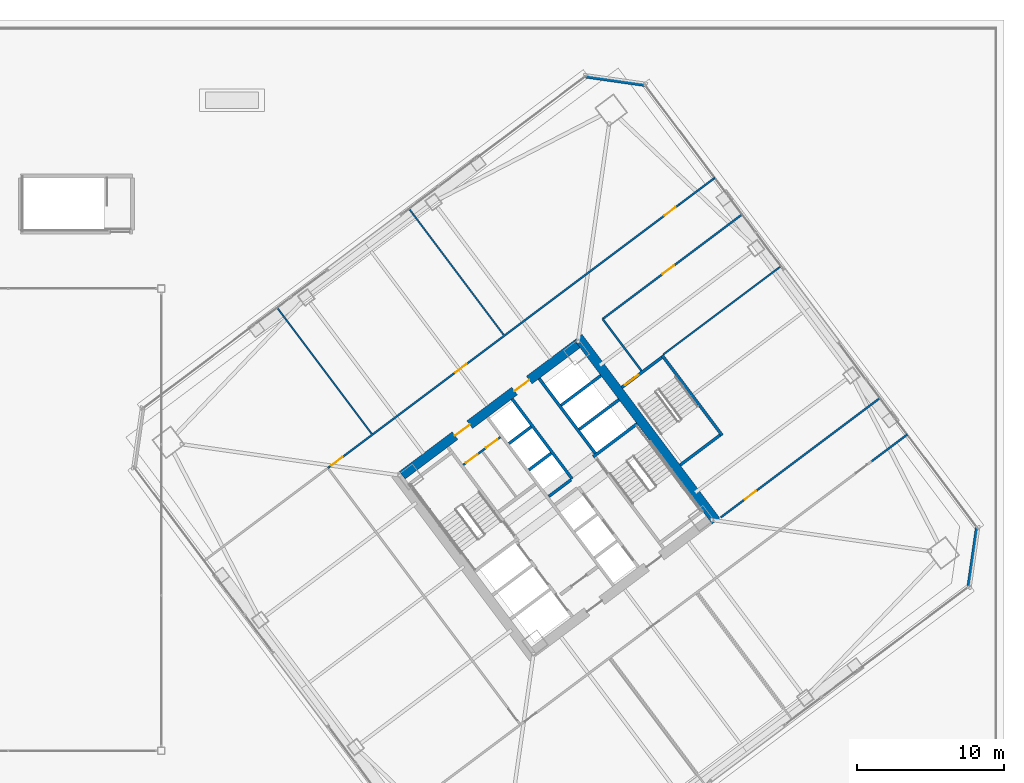
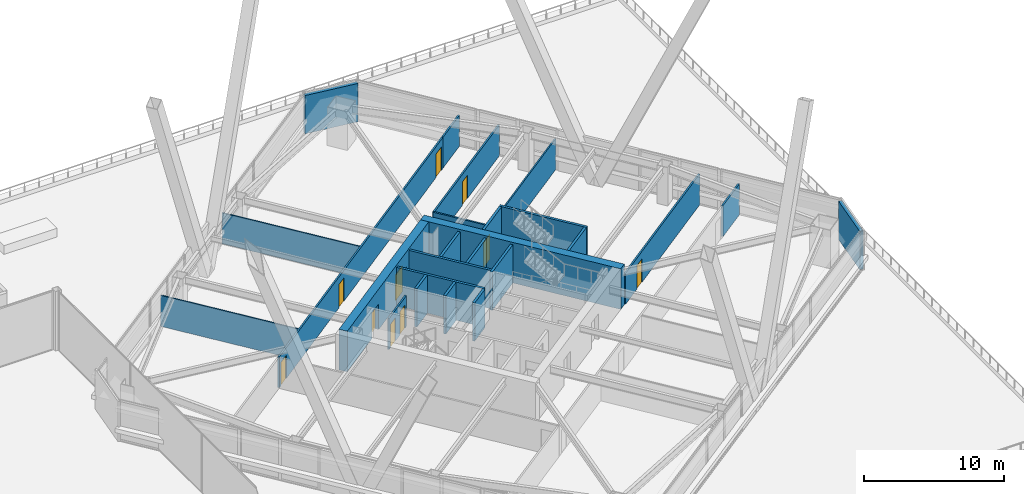
# One storey, part 71 of 83: 25 walls, 10 doors, 10 openings.
"""IFC4 building model written with IfcOpenShell, lengths in metres."""

from ifc_helpers import new_model, si_unit, direction, frame, frame_2d, origin, place, context, subcontext, project, spatial, rectangle, extrude, material, layer, layer_set, type_object, element, fill, save


model = new_model("IFC4")

# Units and contexts
model_context = context("Model", 3, precision=1e-05, world=origin(), true_north=direction((0.0, 1.0)))
body_context = subcontext(model_context, "Body", "Model", "MODEL_VIEW")
ifc_project = project(units=[si_unit("LENGTHUNIT", "METRE"), si_unit("AREAUNIT", "SQUARE_METRE"), si_unit("VOLUMEUNIT", "CUBIC_METRE"), si_unit("PLANEANGLEUNIT", "RADIAN"), si_unit("MASSUNIT", "GRAM", prefix="KILO")], contexts=[model_context])

# Site, building, storey
site_placement = place(None, origin())
site = spatial("IfcSite", under=ifc_project, at=site_placement, CompositionType="ELEMENT")
building_placement = place(site_placement, origin())
building = spatial("IfcBuilding", under=site, at=building_placement, Name="Tashvorn Skyway Center", CompositionType="ELEMENT")
storey_placement = place(building_placement, frame((0.0, 0.0, 24.60009765625)))
storey = spatial("IfcBuildingStorey", under=building, at=storey_placement, Name="L05", CompositionType="ELEMENT", Elevation=24.60009765625)

# Wall
ifc_material_1 = material(Name="Concrete C60/75", Category="concrete")
ifc_layer_1 = layer(ifc_material_1, 0.64990234375)
ifc_layer_set_1 = layer_set([ifc_layer_1], Name="Concrete C60/75")
wall_type_1 = type_object("IfcWallType", Name="WALL-CORE-650", PredefinedType="SHEAR", material=ifc_layer_set_1)
wall_1_placement = place(storey_placement, frame((115.52392578125, 42.89306640625, 0.0), z_axis=(0.0, 0.0, 1.0), x_axis=(0.600005007985, -0.799996243986, 0.0)))
element("IfcWall", 1, at=wall_1_placement, inside=storey, type_object=wall_type_1, Name="Tower 2 L05 East Core Shear Wall", PredefinedType="SHEAR", context=body_context, shape_type="SweptSolid", body=[
    extrude(rectangle(XDim=15.60009765625, YDim=0.64990234375, at=frame_2d((7.800048828125, 0.0))), origin(), (0.0, 0.0, 1.0), 3.5498046875),
])

# Wall, openings, doors
wall_2_placement = place(storey_placement, frame((103.571044921875, 33.52197265625, 0.0), z_axis=(0.0, 0.0, 1.0), x_axis=(0.799998028465, 0.600002628705, 0.0)))
wall_2 = element("IfcWall", 2, at=wall_2_placement, inside=storey, type_object=wall_type_1, Name="Tower 2 L05 North Core Shear Wall", PredefinedType="SHEAR", context=body_context, shape_type="SweptSolid", body=[
    extrude(rectangle(XDim=14.85986328125, YDim=0.64990234375, at=frame_2d((7.429931640625, 0.0))), origin(), (0.0, 0.0, 1.0), 3.5498046875),
])
opening_1_placement = place(wall_2_placement, frame((4.47998046875, 0.0, 0.0)))
opening_1 = element("IfcOpeningElement", 3, at=opening_1_placement, cuts=wall_2, Name="Opening D-FFL-1250", PredefinedType="OPENING", context=body_context, shape_type="SweptSolid", body=[
    extrude(rectangle(XDim=1.25, YDim=2.25, at=frame_2d((0.625, 1.125))), frame((0.0, 0.3349609375, 0.0), z_axis=(0.0, -1.0, 0.0), x_axis=(1.0, 0.0, 0.0)), (0.0, 0.0, 1.0), 0.669921875),
])
opening_2_placement = place(wall_2_placement, frame((9.530029296875, 0.0, 0.0)))
opening_2 = element("IfcOpeningElement", 4, at=opening_2_placement, cuts=wall_2, Name="Opening D-FFL-1250", PredefinedType="OPENING", context=body_context, shape_type="SweptSolid", body=[
    extrude(rectangle(XDim=1.25, YDim=2.25, at=frame_2d((0.625, 1.125))), frame((0.0, 0.3349609375, 0.0), z_axis=(0.0, -1.0, 0.0), x_axis=(1.0, 0.0, 0.0)), (0.0, 0.0, 1.0), 0.669921875),
])
ifc_material_2 = material(Name="Hollow galvanized steel fire door assembly", Category="steel")
door_type_1 = type_object("IfcDoorType", Name="DOOR-FFL-1250", OperationType="NOTDEFINED", PredefinedType="DOOR", material=ifc_material_2)
door_1_placement = place(opening_1_placement, origin())
door_1 = element("IfcDoor", 5, at=door_1_placement, inside=storey, type_object=door_type_1, Name="Tower 2 L05 Core North Service Lobby Door", OperationType="SINGLE_SWING_LEFT", OverallHeight=2.25, OverallWidth=1.25, PredefinedType="DOOR", context=body_context, shape_type="SweptSolid", body=[
    extrude(rectangle(XDim=1.25, YDim=2.25, at=frame_2d((0.625, 1.125))), frame((0.0, 0.02490234375, 0.0), z_axis=(0.0, -1.0, 0.0), x_axis=(1.0, 0.0, 0.0)), (0.0, 0.0, 1.0), 0.050048828125),
])
fill(opening_1, door_1)
door_2_placement = place(opening_2_placement, origin())
door_2 = element("IfcDoor", 6, at=door_2_placement, inside=storey, type_object=door_type_1, Name="Tower 2 L05 Core North Lift Lobby Door", OperationType="SINGLE_SWING_RIGHT", OverallHeight=2.25, OverallWidth=1.25, PredefinedType="DOOR", context=body_context, shape_type="SweptSolid", body=[
    extrude(rectangle(XDim=1.25, YDim=2.25, at=frame_2d((0.625, 1.125))), frame((0.0, 0.02490234375, 0.0), z_axis=(0.0, -1.0, 0.0), x_axis=(1.0, 0.0, 0.0)), (0.0, 0.0, 1.0), 0.050048828125),
])
fill(opening_2, door_2)

# Walls
ifc_material_3 = material(Name="Precast concrete C40/50", Category="concrete")
ifc_layer_2 = layer(ifc_material_3, 0.280029296875)
ifc_layer_set_2 = layer_set([ifc_layer_2], Name="Precast concrete C40/50")
wall_type_2 = type_object("IfcWallType", Name="WALL-EXT-280", PredefinedType="SOLIDWALL", material=ifc_layer_set_2)
for number, where, z_axis, x_axis, name in (
    (7, (116.02001953125, 60.639892578125, 0.0), (0.0, 0.0, 1.0), (0.989955445613, -0.14137968631, 0.0), "Tower 2 L05 NE Precast Chamfer Wall"),
    (8, (142.639892578125, 29.97998046875, 0.0), (0.0, 0.0, 1.0), (-0.14137968631, -0.989955445613, 0.0), "Tower 2 L05 SE Precast Chamfer Wall"),
):
    element("IfcWall", number, at=place(storey_placement, frame(where, z_axis=z_axis, x_axis=x_axis)), inside=storey, type_object=wall_type_2, Name=name, PredefinedType="SOLIDWALL", context=body_context, shape_type="SweptSolid", body=[
        extrude(rectangle(XDim=4.101318359375, YDim=0.280029296875, at=frame_2d((2.05078125, 0.0))), origin(), (0.0, 0.0, 1.0), 3.349853515625),
    ])
ifc_material_4 = material(Name="Gypsum board on cold-formed steel stud framing", Category="steel")
ifc_layer_3 = layer(ifc_material_4, 0.110107421875)
ifc_layer_set_3 = layer_set([ifc_layer_3], Name="Gypsum board on cold-formed steel stud framing")
wall_type_3 = type_object("IfcWallType", Name="WALL-PART-110", PredefinedType="PARTITIONING", material=ifc_layer_set_3)
for number, where, z_axis, x_axis, name in (
    (9, (101.491943359375, 36.343994140625, 0.0), (0.0, 0.0, 1.0), (-0.599992698573, 0.800005476018, 0.0), "Tower 2 L05 North Suite Partition 1"),
    (10, (110.451904296875, 43.06396484375, 0.0), (0.0, 0.0, 1.0), (-0.599992698573, 0.800005476018, 0.0), "Tower 2 L05 North Suite Partition 2"),
):
    element("IfcWall", number, at=place(storey_placement, frame(where, z_axis=z_axis, x_axis=x_axis)), inside=storey, type_object=wall_type_3, Name=name, PredefinedType="PARTITIONING", context=body_context, shape_type="SweptSolid", body=[
        extrude(rectangle(XDim=10.699951171875, YDim=0.110107421875, at=frame_2d((5.35009765625, 0.0))), origin(), (0.0, 0.0, 1.0), 2.702880859375),
    ])
wall_3_placement = place(storey_placement, frame((129.303955078125, 47.72802734375, 0.0), z_axis=(0.0, 0.0, 1.0), x_axis=(-0.8, -0.6, 0.0)))
element("IfcWall", 11, at=wall_3_placement, inside=storey, type_object=wall_type_3, Name="Tower 2 L05 East Suite Partition 1", PredefinedType="PARTITIONING", context=body_context, shape_type="SweptSolid", body=[
    extrude(rectangle(XDim=10.0, YDim=0.110107421875, at=frame_2d((5.0, 0.0))), origin(), (0.0, 0.0, 1.0), 2.702880859375),
])
ifc_layer_4 = layer(ifc_material_4, 0.135009765625)
ifc_layer_set_4 = layer_set([ifc_layer_4], Name="Gypsum board on cold-formed steel stud framing")
wall_type_4 = type_object("IfcWallType", Name="WALL-PART-135", PredefinedType="PARTITIONING", material=ifc_layer_set_4)
wall_4_placement = place(storey_placement, frame((119.823974609375, 40.617919921875, 0.0), z_axis=(0.0, 0.0, 1.0), x_axis=(-0.599982243973, 0.800013316712, 0.0)))
element("IfcWall", 12, at=wall_4_placement, inside=storey, type_object=wall_type_4, Name="Tower 2 L05 Stair 3 Access Corridor Wall", PredefinedType="PARTITIONING", context=body_context, shape_type="SweptSolid", body=[
    extrude(rectangle(XDim=4.39990234375, YDim=0.135009765625, at=frame_2d((2.199951171875, 0.0))), origin(), (0.0, 0.0, 1.0), 2.702880859375),
])

# Wall, openings, doors
wall_5_placement = place(storey_placement, frame((98.51611328125, 34.011962890625, 0.0), z_axis=(0.0, 0.0, 1.0), x_axis=(0.799998035726, 0.600002619023, 0.0)))
wall_5 = element("IfcWall", 13, at=wall_5_placement, inside=storey, type_object=wall_type_4, Name="Tower 2 L05 North Suite Wall", PredefinedType="PARTITIONING", context=body_context, shape_type="SweptSolid", body=[
    extrude(rectangle(XDim=29.829833984375, YDim=0.135009765625, at=frame_2d((14.9150390625, 0.0))), origin(), (0.0, 0.0, 1.0), 2.702880859375),
])
opening_3_placement = place(wall_5_placement, frame((0.300048828125, 0.0, 0.0)))
opening_3 = element("IfcOpeningElement", 14, at=opening_3_placement, cuts=wall_5, Name="Opening D-INT-950", PredefinedType="OPENING", context=body_context, shape_type="SweptSolid", body=[
    extrude(rectangle(XDim=0.949951171875, YDim=2.050048828125, at=frame_2d((0.47509765625, 1.02490234375))), frame((0.0, 0.077392578125, 0.0), z_axis=(0.0, -1.0, 0.0), x_axis=(1.0, 0.0, 0.0)), (0.0, 0.0, 1.0), 0.155029296875),
])
opening_4_placement = place(wall_5_placement, frame((10.82861328125, 0.0, 0.0)))
opening_4 = element("IfcOpeningElement", 15, at=opening_4_placement, cuts=wall_5, Name="Opening D-INT-950", PredefinedType="OPENING", context=body_context, shape_type="SweptSolid", body=[
    extrude(rectangle(XDim=0.949951171875, YDim=2.050048828125, at=frame_2d((0.47509765625, 1.02490234375))), frame((0.0, 0.077392578125, 0.0), z_axis=(0.0, -1.0, 0.0), x_axis=(1.0, 0.0, 0.0)), (0.0, 0.0, 1.0), 0.155029296875),
])
opening_5_placement = place(wall_5_placement, frame((28.580078125, 0.0, 0.0)))
opening_5 = element("IfcOpeningElement", 16, at=opening_5_placement, cuts=wall_5, Name="Opening D-INT-950", PredefinedType="OPENING", context=body_context, shape_type="SweptSolid", body=[
    extrude(rectangle(XDim=0.949951171875, YDim=2.050048828125, at=frame_2d((0.47509765625, 1.02490234375))), frame((0.0, 0.077392578125, 0.0), z_axis=(0.0, -1.0, 0.0), x_axis=(1.0, 0.0, 0.0)), (0.0, 0.0, 1.0), 0.155029296875),
])
ifc_material_5 = material(Name="Solid-core architectural oak veneer door")
door_type_2 = type_object("IfcDoorType", Name="DOOR-INT-950", OperationType="NOTDEFINED", PredefinedType="DOOR", material=ifc_material_5)
door_3_placement = place(opening_3_placement, origin())
door_3 = element("IfcDoor", 17, at=door_3_placement, inside=storey, type_object=door_type_2, Name="Tower 2 L05 Open Plan Office Door", OperationType="SINGLE_SWING_LEFT", OverallHeight=2.050048828125, OverallWidth=0.949951171875, PredefinedType="DOOR", context=body_context, shape_type="SweptSolid", body=[
    extrude(rectangle(XDim=0.949951171875, YDim=2.050048828125, at=frame_2d((0.47509765625, 1.02490234375))), frame((0.0, 0.02490234375, 0.0), z_axis=(0.0, -1.0, 0.0), x_axis=(1.0, 0.0, 0.0)), (0.0, 0.0, 1.0), 0.050048828125),
])
fill(opening_3, door_3)
door_4_placement = place(opening_4_placement, origin())
door_4 = element("IfcDoor", 18, at=door_4_placement, inside=storey, type_object=door_type_2, Name="Tower 2 L05 Open Plan Office Door", OperationType="SINGLE_SWING_RIGHT", OverallHeight=2.050048828125, OverallWidth=0.949951171875, PredefinedType="DOOR", context=body_context, shape_type="SweptSolid", body=[
    extrude(rectangle(XDim=0.949951171875, YDim=2.050048828125, at=frame_2d((0.47509765625, 1.02490234375))), frame((0.0, 0.02490234375, 0.0), z_axis=(0.0, -1.0, 0.0), x_axis=(1.0, 0.0, 0.0)), (0.0, 0.0, 1.0), 0.050048828125),
])
fill(opening_4, door_4)
door_5_placement = place(opening_5_placement, origin())
door_5 = element("IfcDoor", 19, at=door_5_placement, inside=storey, type_object=door_type_2, Name="Tower 2 L05 Catering Pantry Door", OperationType="SINGLE_SWING_LEFT", OverallHeight=2.050048828125, OverallWidth=0.949951171875, PredefinedType="DOOR", context=body_context, shape_type="SweptSolid", body=[
    extrude(rectangle(XDim=0.949951171875, YDim=2.050048828125, at=frame_2d((0.47509765625, 1.02490234375))), frame((0.0, 0.02490234375, 0.0), z_axis=(0.0, -1.0, 0.0), x_axis=(1.0, 0.0, 0.0)), (0.0, 0.0, 1.0), 0.050048828125),
])
fill(opening_5, door_5)

# Walls
for number, where, z_axis, x_axis, name in (
    (20, (122.3798828125, 51.909912109375, 0.0), (0.0, 0.0, 1.0), (0.799990331366, 0.600012891296, 0.0), "Tower 2 L05 North-East Suite South Wall"),
    (21, (135.4599609375, 34.469970703125, 0.0), (0.0, 0.0, 1.0), (0.799990331366, 0.600012891296, 0.0), "Tower 2 L05 South-East Suite North Wall"),
):
    element("IfcWall", number, at=place(storey_placement, frame(where, z_axis=z_axis, x_axis=x_axis)), inside=storey, type_object=wall_type_4, Name=name, PredefinedType="PARTITIONING", context=body_context, shape_type="SweptSolid", body=[
        extrude(rectangle(XDim=3.030029296875, YDim=0.135009765625, at=frame_2d((1.51513671875, 0.0))), origin(), (0.0, 0.0, 1.0), 2.702880859375),
    ])

# Wall, opening, door
wall_6_placement = place(storey_placement, frame((126.6640625, 51.248046875, 0.0), z_axis=(0.0, 0.0, 1.0), x_axis=(-0.799995055373, -0.600006592779, 0.0)))
wall_6 = element("IfcWall", 22, at=wall_6_placement, inside=storey, type_object=wall_type_4, Name="Tower 2 L05 East Suite North Wall", PredefinedType="PARTITIONING", context=body_context, shape_type="SweptSolid", body=[
    extrude(rectangle(XDim=11.85009765625, YDim=0.135009765625, at=frame_2d((5.925048828125, 0.0))), origin(), (0.0, 0.0, 1.0), 2.702880859375),
])
opening_6_placement = place(wall_6_placement, frame((5.800048828125, 0.0, 0.0)))
opening_6 = element("IfcOpeningElement", 23, at=opening_6_placement, cuts=wall_6, Name="Opening D-INT-950", PredefinedType="OPENING", context=body_context, shape_type="SweptSolid", body=[
    extrude(rectangle(XDim=0.949951171875, YDim=2.050048828125, at=frame_2d((0.47509765625, 1.02490234375))), frame((0.0, 0.077392578125, 0.0), z_axis=(0.0, -1.0, 0.0), x_axis=(1.0, 0.0, 0.0)), (0.0, 0.0, 1.0), 0.155029296875),
])
door_6_placement = place(opening_6_placement, origin())
door_6 = element("IfcDoor", 24, at=door_6_placement, inside=storey, type_object=door_type_2, Name="Tower 2 L05 Executive Study Lounge Door", OperationType="SINGLE_SWING_LEFT", OverallHeight=2.050048828125, OverallWidth=0.949951171875, PredefinedType="DOOR", context=body_context, shape_type="SweptSolid", body=[
    extrude(rectangle(XDim=0.949951171875, YDim=2.050048828125, at=frame_2d((0.47509765625, 1.02490234375))), frame((0.0, 0.02490234375, 0.0), z_axis=(0.0, -1.0, 0.0), x_axis=(1.0, 0.0, 0.0)), (0.0, 0.0, 1.0), 0.050048828125),
])
fill(opening_6, door_6)

wall_7_placement = place(storey_placement, frame((125.2080078125, 30.656005859375, 0.0), z_axis=(0.0, 0.0, 1.0), x_axis=(0.799995666112, 0.600005778473, 0.0)))
wall_7 = element("IfcWall", 25, at=wall_7_placement, inside=storey, type_object=wall_type_4, Name="Tower 2 L05 East Suite South Wall", PredefinedType="PARTITIONING", context=body_context, shape_type="SweptSolid", body=[
    extrude(rectangle(XDim=13.52001953125, YDim=0.135009765625, at=frame_2d((6.760009765625, 0.0))), origin(), (0.0, 0.0, 1.0), 2.702880859375),
])
opening_7_placement = place(wall_7_placement, frame((2.044921875, 0.0, 0.0)))
opening_7 = element("IfcOpeningElement", 26, at=opening_7_placement, cuts=wall_7, Name="Opening D-INT-950", PredefinedType="OPENING", context=body_context, shape_type="SweptSolid", body=[
    extrude(rectangle(XDim=0.949951171875, YDim=2.050048828125, at=frame_2d((0.47509765625, 1.02490234375))), frame((0.0, 0.077392578125, 0.0), z_axis=(0.0, -1.0, 0.0), x_axis=(1.0, 0.0, 0.0)), (0.0, 0.0, 1.0), 0.155029296875),
])
door_7_placement = place(opening_7_placement, origin())
door_7 = element("IfcDoor", 27, at=door_7_placement, inside=storey, type_object=door_type_2, Name="Tower 2 L05 Public Restroom Door", OperationType="SINGLE_SWING_RIGHT", OverallHeight=2.050048828125, OverallWidth=0.949951171875, PredefinedType="DOOR", context=body_context, shape_type="SweptSolid", body=[
    extrude(rectangle(XDim=0.949951171875, YDim=2.050048828125, at=frame_2d((0.47509765625, 1.02490234375))), frame((0.0, 0.02490234375, 0.0), z_axis=(0.0, -1.0, 0.0), x_axis=(1.0, 0.0, 0.0)), (0.0, 0.0, 1.0), 0.050048828125),
])
fill(opening_7, door_7)

# Wall, openings, doors
ifc_layer_5 = layer(ifc_material_4, 0.135009765625)
ifc_layer_set_5 = layer_set([ifc_layer_5], Name="Gypsum board on cold-formed steel stud framing")
wall_type_5 = type_object("IfcWallType", Name="WALL-RATED-135", PredefinedType="PARTITIONING", material=ifc_layer_set_5)
wall_8_placement = place(storey_placement, frame((107.7099609375, 34.219970703125, 0.0), z_axis=(0.0, 0.0, 1.0), x_axis=(0.799981399002, 0.60002480053, 0.0)))
wall_8 = element("IfcWall", 28, at=wall_8_placement, inside=storey, type_object=wall_type_5, Name="Tower 2 L05 Core Service Lobby Wall", PredefinedType="PARTITIONING", context=body_context, shape_type="SweptSolid", body=[
    extrude(rectangle(XDim=3.150146484375, YDim=0.135009765625, at=frame_2d((1.5751953125, 0.0))), origin(), (0.0, 0.0, 1.0), 2.702880859375),
])
opening_8_placement = place(wall_8_placement, frame((0.25, 0.0, 0.0)))
opening_8 = element("IfcOpeningElement", 29, at=opening_8_placement, cuts=wall_8, Name="Opening D-RT-950", PredefinedType="OPENING", context=body_context, shape_type="SweptSolid", body=[
    extrude(rectangle(XDim=0.949951171875, YDim=2.050048828125, at=frame_2d((0.47509765625, 1.02490234375))), frame((0.0, 0.077392578125, 0.0), z_axis=(0.0, -1.0, 0.0), x_axis=(1.0, 0.0, 0.0)), (0.0, 0.0, 1.0), 0.155029296875),
])
opening_9_placement = place(wall_8_placement, frame((1.949951171875, 0.0, 0.0)))
opening_9 = element("IfcOpeningElement", 30, at=opening_9_placement, cuts=wall_8, Name="Opening D-RT-950", PredefinedType="OPENING", context=body_context, shape_type="SweptSolid", body=[
    extrude(rectangle(XDim=0.949951171875, YDim=2.050048828125, at=frame_2d((0.47509765625, 1.02490234375))), frame((0.0, 0.077392578125, 0.0), z_axis=(0.0, -1.0, 0.0), x_axis=(1.0, 0.0, 0.0)), (0.0, 0.0, 1.0), 0.155029296875),
])
door_type_3 = type_object("IfcDoorType", Name="DOOR-RATED-950", OperationType="NOTDEFINED", PredefinedType="DOOR", material=ifc_material_2)
door_8_placement = place(opening_8_placement, origin())
door_8 = element("IfcDoor", 31, at=door_8_placement, inside=storey, type_object=door_type_3, Name="Tower 2 L05 Core Accessible WC Door", OperationType="SINGLE_SWING_LEFT", OverallHeight=2.050048828125, OverallWidth=0.949951171875, PredefinedType="DOOR", context=body_context, shape_type="SweptSolid", body=[
    extrude(rectangle(XDim=0.949951171875, YDim=2.050048828125, at=frame_2d((0.47509765625, 1.02490234375))), frame((0.0, 0.02490234375, 0.0), z_axis=(0.0, -1.0, 0.0), x_axis=(1.0, 0.0, 0.0)), (0.0, 0.0, 1.0), 0.050048828125),
])
fill(opening_8, door_8)
door_9_placement = place(opening_9_placement, origin())
door_9 = element("IfcDoor", 32, at=door_9_placement, inside=storey, type_object=door_type_3, Name="Tower 2 L05 Core Cleaner Store Door", OperationType="SINGLE_SWING_RIGHT", OverallHeight=2.050048828125, OverallWidth=0.949951171875, PredefinedType="DOOR", context=body_context, shape_type="SweptSolid", body=[
    extrude(rectangle(XDim=0.949951171875, YDim=2.050048828125, at=frame_2d((0.47509765625, 1.02490234375))), frame((0.0, 0.02490234375, 0.0), z_axis=(0.0, -1.0, 0.0), x_axis=(1.0, 0.0, 0.0)), (0.0, 0.0, 1.0), 0.050048828125),
])
fill(opening_9, door_9)

# Walls
ifc_material_6 = material(Name="Concrete C40/50", Category="concrete")
ifc_layer_6 = layer(ifc_material_6, 0.199951171875)
ifc_layer_set_6 = layer_set([ifc_layer_6], Name="Concrete C40/50")
wall_type_6 = type_object("IfcWallType", Name="WALL-SHAFT-200", PredefinedType="SOLIDWALL", material=ifc_layer_set_6)
for number, where, z_axis, x_axis, name in (
    (33, (115.590087890625, 36.6298828125, 0.0), (0.0, 0.0, 1.0), (0.799973995579, 0.600034670996, 0.0), "Tower 2 L05 High-Rise Shaft Divider"),
    (34, (114.360107421875, 38.27001953125, 0.0), (0.0, 0.0, 1.0), (0.799973995579, 0.600034670996, 0.0), "Tower 2 L05 High-Rise Shaft Divider"),
):
    element("IfcWall", number, at=place(storey_placement, frame(where, z_axis=z_axis, x_axis=x_axis)), inside=storey, type_object=wall_type_6, Name=name, PredefinedType="SOLIDWALL", context=body_context, shape_type="SweptSolid", body=[
        extrude(rectangle(XDim=3.3798828125, YDim=0.199951171875, at=frame_2d((1.68994140625, 0.0))), origin(), (0.0, 0.0, 1.0), 3.349853515625),
    ])
wall_9_placement = place(storey_placement, frame((115.110107421875, 33.27001953125, 0.0), z_axis=(0.0, 0.0, 1.0), x_axis=(-0.600011488909, 0.79999138319, 0.0)))
element("IfcWall", 35, at=wall_9_placement, inside=storey, type_object=wall_type_6, Name="Tower 2 L05 Mid-Rise Core Wall", PredefinedType="SOLIDWALL", context=body_context, shape_type="SweptSolid", body=[
    extrude(rectangle(XDim=6.800048828125, YDim=0.199951171875, at=frame_2d((3.39990234375, 0.0))), origin(), (0.0, 0.0, 1.0), 3.349853515625),
])
wall_10_placement = place(storey_placement, frame((113.52587890625, 32.08203125, 0.0), z_axis=(0.0, 0.0, 1.0), x_axis=(0.800046745961, 0.599937666993, 0.0)))
element("IfcWall", 36, at=wall_10_placement, inside=storey, type_object=wall_type_6, Name="Tower 2 L05 Mid-Rise Shaft Divider", PredefinedType="SOLIDWALL", context=body_context, shape_type="SweptSolid", body=[
    extrude(rectangle(XDim=1.880126953125, YDim=0.199951171875, at=frame_2d((0.93994140625, 0.0))), origin(), (0.0, 0.0, 1.0), 3.349853515625),
])
wall_11_placement = place(storey_placement, frame((112.176025390625, 33.882080078125, 0.0), z_axis=(0.0, 0.0, 1.0), x_axis=(0.8, 0.6, 0.0)))
element("IfcWall", 37, at=wall_11_placement, inside=storey, type_object=wall_type_6, Name="Tower 2 L05 Mid-Rise Shaft Divider", PredefinedType="SOLIDWALL", context=body_context, shape_type="SweptSolid", body=[
    extrude(rectangle(XDim=1.8798828125, YDim=0.199951171875, at=frame_2d((0.93994140625, 0.0))), origin(), (0.0, 0.0, 1.0), 3.349853515625),
])
wall_12_placement = place(storey_placement, frame((110.825927734375, 35.681884765625, 0.0), z_axis=(0.0, 0.0, 1.0), x_axis=(0.799984418148, 0.600020775241, 0.0)))
element("IfcWall", 38, at=wall_12_placement, inside=storey, type_object=wall_type_6, Name="Tower 2 L05 Mid-Rise Shaft Divider", PredefinedType="SOLIDWALL", context=body_context, shape_type="SweptSolid", body=[
    extrude(rectangle(XDim=1.880126953125, YDim=0.199951171875, at=frame_2d((0.93994140625, 0.0))), origin(), (0.0, 0.0, 1.0), 3.349853515625),
])
ifc_layer_7 = layer(ifc_material_6, 0.199951171875)
ifc_layer_set_7 = layer_set([ifc_layer_7], Name="Concrete C40/50")
wall_type_7 = type_object("IfcWallType", Name="WALL-STSHF-200", PredefinedType="SHEAR", material=ifc_layer_set_7)
wall_13_placement = place(storey_placement, frame((116.5400390625, 34.780029296875, 0.0), z_axis=(0.0, 0.0, 1.0), x_axis=(0.799984290658, 0.600020945218, 0.0)))
element("IfcWall", 39, at=wall_13_placement, inside=storey, type_object=wall_type_7, Name="Tower 2 L05 Stair 2 North Wall", PredefinedType="SHEAR", context=body_context, shape_type="SweptSolid", body=[
    extrude(rectangle(XDim=3.72998046875, YDim=0.199951171875, at=frame_2d((1.864990234375, 0.0))), origin(), (0.0, 0.0, 1.0), 3.349853515625),
])
wall_14_placement = place(storey_placement, frame((112.8701171875, 40.090087890625, 0.0), z_axis=(0.0, 0.0, 1.0), x_axis=(0.599975393228, -0.800018454488, 0.0)))
element("IfcWall", 40, at=wall_14_placement, inside=storey, type_object=wall_type_7, Name="Tower 2 L05 High-Rise Lift Shaft Front Wall", PredefinedType="SHEAR", context=body_context, shape_type="SweptSolid", body=[
    extrude(rectangle(XDim=6.349853515625, YDim=0.199951171875, at=frame_2d((3.1748046875, 0.0))), origin(), (0.0, 0.0, 1.0), 3.349853515625),
])
wall_15_placement = place(storey_placement, frame((125.303955078125, 36.22802734375, 0.0), z_axis=(0.0, 0.0, 1.0), x_axis=(-0.59998851072, 0.800008616831, 0.0)))
element("IfcWall", 41, at=wall_15_placement, inside=storey, type_object=wall_type_7, Name="Tower 2 L05 Stair 3 Outer Wall", PredefinedType="SHEAR", context=body_context, shape_type="SweptSolid", body=[
    extrude(rectangle(XDim=6.7998046875, YDim=0.199951171875, at=frame_2d((3.39990234375, 0.0))), origin(), (0.0, 0.0, 1.0), 3.349853515625),
])

# Wall, opening, door
wall_16_placement = place(storey_placement, frame((121.2041015625, 41.528076171875, 0.0), z_axis=(0.0, 0.0, 1.0), x_axis=(-0.800017232136, -0.599977023131, 0.0)))
wall_16 = element("IfcWall", 42, at=wall_16_placement, inside=storey, type_object=wall_type_7, Name="Tower 2 L05 Stair 3 Enclosure Wall", PredefinedType="SHEAR", context=body_context, shape_type="SweptSolid", body=[
    extrude(rectangle(XDim=3.400146484375, YDim=0.199951171875, at=frame_2d((1.7001953125, 0.0))), origin(), (0.0, 0.0, 1.0), 3.349853515625),
])
opening_10_placement = place(wall_16_placement, frame((1.97509765625, 0.0, 0.0)))
opening_10 = element("IfcOpeningElement", 43, at=opening_10_placement, cuts=wall_16, Name="Opening D-ST-1150", PredefinedType="OPENING", context=body_context, shape_type="SweptSolid", body=[
    extrude(rectangle(XDim=1.14990234375, YDim=2.199951171875, at=frame_2d((0.574951171875, 1.10009765625))), frame((0.0, 0.10986328125, 0.0), z_axis=(0.0, -1.0, 0.0), x_axis=(1.0, 0.0, 0.0)), (0.0, 0.0, 1.0), 0.219970703125),
])
door_type_4 = type_object("IfcDoorType", Name="DOOR-STAIR-1150", OperationType="NOTDEFINED", PredefinedType="DOOR", material=ifc_material_2)
door_10_placement = place(opening_10_placement, origin())
door_10 = element("IfcDoor", 44, at=door_10_placement, inside=storey, type_object=door_type_4, Name="Tower 2 L05 Exit Stair 3 Door", OperationType="SINGLE_SWING_RIGHT", OverallHeight=2.199951171875, OverallWidth=1.14990234375, PredefinedType="DOOR", context=body_context, shape_type="SweptSolid", body=[
    extrude(rectangle(XDim=1.14990234375, YDim=2.199951171875, at=frame_2d((0.574951171875, 1.10009765625))), frame((0.0, 0.02490234375, 0.0), z_axis=(0.0, -1.0, 0.0), x_axis=(1.0, 0.0, 0.0)), (0.0, 0.0, 1.0), 0.050048828125),
])
fill(opening_10, door_10)

# Wall
wall_17_placement = place(storey_placement, frame((122.444091796875, 34.2080078125, 0.0), z_axis=(0.0, 0.0, 1.0), x_axis=(0.79999138319, 0.600011488909, 0.0)))
element("IfcWall", 45, at=wall_17_placement, inside=storey, type_object=wall_type_7, Name="Tower 2 L05 Stair 3 South Wall", PredefinedType="SHEAR", context=body_context, shape_type="SweptSolid", body=[
    extrude(rectangle(XDim=3.39990234375, YDim=0.199951171875, at=frame_2d((1.699951171875, 0.0))), origin(), (0.0, 0.0, 1.0), 3.349853515625),
])

save(model, "model.ifc")
